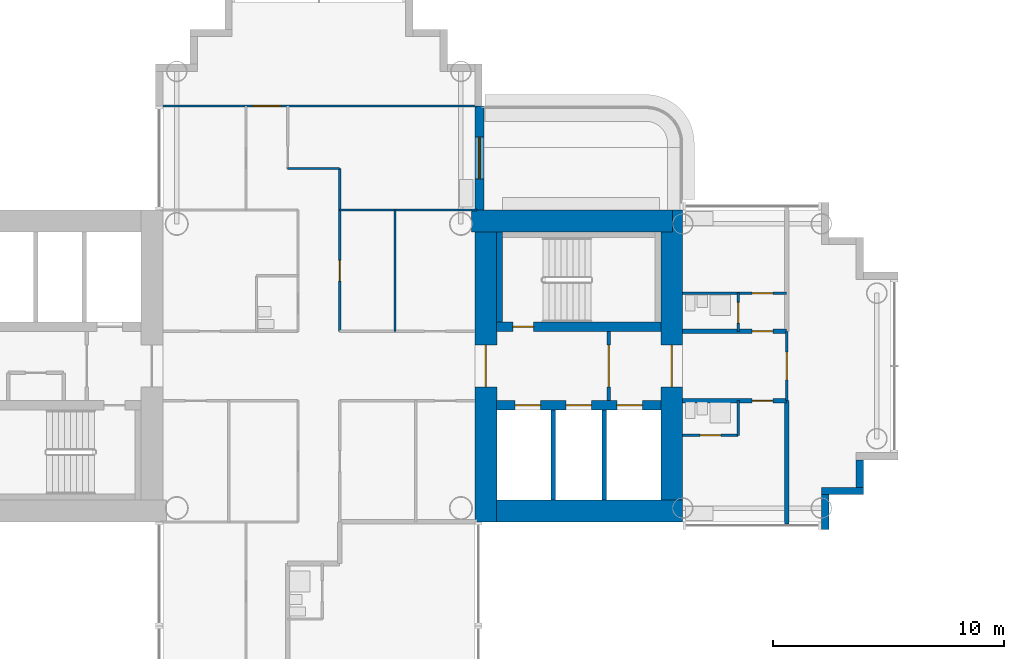
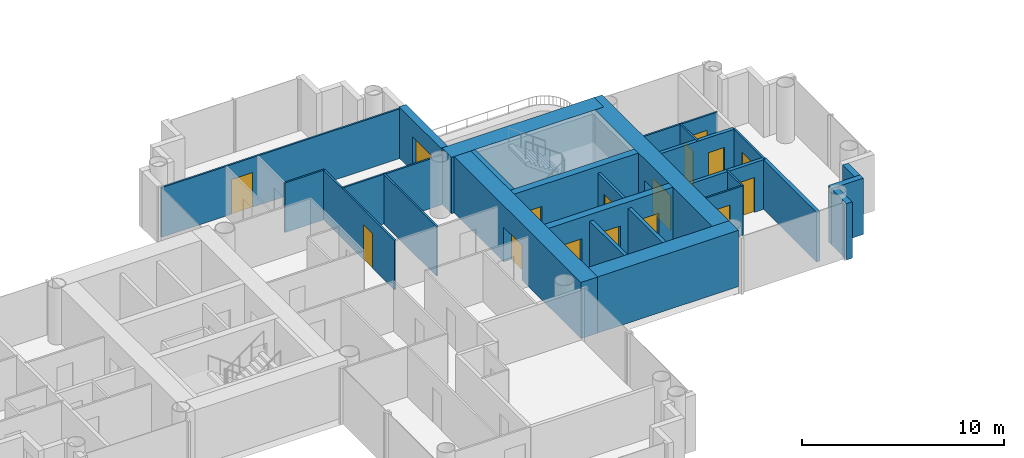
# One storey, part 11 of 22: 27 walls, 16 doors, 16 openings.
"""IFC4 building model written with IfcOpenShell, lengths in metres."""

from ifc_helpers import new_model, si_unit, direction, frame, frame_2d, origin, place, context, subcontext, project, spatial, rectangle, extrude, material, layer, layer_set, type_object, element, fill, save


model = new_model("IFC4")

# Units and contexts
model_context = context("Model", 3, precision=1e-05, world=origin(), true_north=direction((0.0, 1.0)))
body_context = subcontext(model_context, "Body", "Model", "MODEL_VIEW")
ifc_project = project(units=[si_unit("LENGTHUNIT", "METRE"), si_unit("AREAUNIT", "SQUARE_METRE"), si_unit("VOLUMEUNIT", "CUBIC_METRE"), si_unit("PLANEANGLEUNIT", "RADIAN"), si_unit("MASSUNIT", "GRAM", prefix="KILO")], contexts=[model_context])

# Site, building, storey
site_placement = place(None, origin())
site = spatial("IfcSite", under=ifc_project, at=site_placement, CompositionType="ELEMENT")
building_placement = place(site_placement, origin())
building = spatial("IfcBuilding", under=site, at=building_placement, Name="Ipe Terrace Towers", CompositionType="ELEMENT")
storey_placement = place(building_placement, frame((0.0, 0.0, 110.60009765625)))
storey = spatial("IfcBuildingStorey", under=building, at=storey_placement, Name="L30", CompositionType="ELEMENT", Elevation=110.60009765625)

# Wall, opening, door
ifc_material_1 = material(Name="Concrete C40/50 with buff precast cladding", Category="concrete")
ifc_layer_1 = layer(ifc_material_1, 0.39990234375)
ifc_layer_set_1 = layer_set([ifc_layer_1], Name="BALCONY BAY WALL 400")
wall_type_1 = type_object("IfcWallType", Name="BALCONY BAY WALL 400", PredefinedType="STANDARD", material=ifc_layer_set_1)
wall_1_placement = place(storey_placement, frame((-29.050048828125, 6.75, -0.02001953125), z_axis=(0.0, 0.0, 1.0), x_axis=(0.0, 1.0, 0.0)))
wall_1 = element("IfcWall", 1, at=wall_1_placement, inside=storey, type_object=wall_type_1, Name="T1-W-L30-32a wall", PredefinedType="STANDARD", context=body_context, shape_type="SweptSolid", body=[
    extrude(rectangle(XDim=4.5, YDim=0.39990234375, at=frame_2d((2.25, 0.0))), origin(), (0.0, 0.0, 1.0), 3.119873046875),
])
opening_1_placement = place(wall_1_placement, frame((1.35009765625, 0.0, 0.02001953125)))
opening_1 = element("IfcOpeningElement", 2, at=opening_1_placement, cuts=wall_1, Name="Opening T1-D-L30-32", PredefinedType="OPENING", context=body_context, shape_type="SweptSolid", body=[
    extrude(rectangle(XDim=1.800048828125, YDim=2.10009765625, at=frame_2d((0.89990234375, 1.050048828125))), frame((0.0, 0.2099609375, 0.0), z_axis=(0.0, -1.0, 0.0), x_axis=(1.0, 0.0, 0.0)), (0.0, 0.0, 1.0), 0.419921875),
])
ifc_material_2 = material(Name="Aluminium alloy 6063-T6 framed glazed door", Category="aluminium")
door_type_1 = type_object("IfcDoorType", Name="BALCONY DOOR 1800 x 2100 LEFT", OperationType="SINGLE_SWING_LEFT", PredefinedType="DOOR", material=ifc_material_2)
door_1_placement = place(opening_1_placement, origin())
door_1 = element("IfcDoor", 3, at=door_1_placement, inside=storey, type_object=door_type_1, Name="DB1 door", OperationType="SINGLE_SWING_LEFT", OverallHeight=2.10009765625, OverallWidth=1.800048828125, PredefinedType="DOOR", context=body_context, shape_type="SweptSolid", body=[
    extrude(rectangle(XDim=1.800048828125, YDim=2.10009765625, at=frame_2d((0.89990234375, 1.050048828125))), frame((0.0, 0.02490234375, 0.0), z_axis=(0.0, -1.0, 0.0), x_axis=(1.0, 0.0, 0.0)), (0.0, 0.0, 1.0), 0.050048828125),
])
fill(opening_1, door_1)

# Walls
ifc_material_3 = material(Name="Concrete C40/50 with buff precast cladding", Category="concrete")
ifc_layer_2 = layer(ifc_material_3, 0.320068359375)
ifc_layer_set_2 = layer_set([ifc_layer_2], Name="BUFF CLADDING WALL 320")
wall_type_2 = type_object("IfcWallType", Name="BUFF CLADDING WALL 320", PredefinedType="STANDARD", material=ifc_layer_set_2)
wall_2_placement = place(storey_placement, frame((-14.090087890625, -7.070068359375, -0.300048828125), z_axis=(0.0, 0.0, 1.0), x_axis=(0.0, 1.0, 0.0)))
element("IfcWall", 4, at=wall_2_placement, inside=storey, type_object=wall_type_2, Name="T1-W-L30-21a wall", PredefinedType="STANDARD", context=body_context, shape_type="SweptSolid", body=[
    extrude(rectangle(XDim=1.5, YDim=0.320068359375, at=frame_2d((0.75, 0.0))), origin(), (0.0, 0.0, 1.0), 3.39990234375),
])
wall_3_placement = place(storey_placement, frame((-14.25, -5.409912109375, -0.300048828125), z_axis=(0.0, 0.0, 1.0), x_axis=(1.0, 0.0, 0.0)))
element("IfcWall", 5, at=wall_3_placement, inside=storey, type_object=wall_type_2, Name="T1-W-L30-22a wall", PredefinedType="STANDARD", context=body_context, shape_type="SweptSolid", body=[
    extrude(rectangle(XDim=1.820068359375, YDim=0.320068359375, at=frame_2d((0.91015625, 0.0))), origin(), (0.0, 0.0, 1.0), 3.39990234375),
])
wall_4_placement = place(storey_placement, frame((-12.590087890625, -5.25, -0.300048828125), z_axis=(0.0, 0.0, 1.0), x_axis=(0.0, 1.0, 0.0)))
element("IfcWall", 6, at=wall_4_placement, inside=storey, type_object=wall_type_2, Name="T1-W-L30-23a wall", PredefinedType="STANDARD", context=body_context, shape_type="SweptSolid", body=[
    extrude(rectangle(XDim=1.179931640625, YDim=0.320068359375, at=frame_2d((0.58984375, 0.0))), origin(), (0.0, 0.0, 1.0), 3.39990234375),
])

# Wall, opening, door
ifc_material_4 = material(Name="Gypsum board partition", Category="plasterboard")
ifc_layer_3 = layer(ifc_material_4, 0.10009765625)
ifc_layer_set_3 = layer_set([ifc_layer_3], Name="Gypsum board partition 100 mm")
wall_type_3 = type_object("IfcWallType", Name="Gypsum board partition 100 mm", PredefinedType="PARTITIONING", material=ifc_layer_set_3)
wall_5_placement = place(storey_placement, frame((-35.10009765625, 1.5, 0.0), z_axis=(0.0, 0.0, 1.0), x_axis=(0.0, 1.0, 0.0)))
wall_5 = element("IfcWall", 7, at=wall_5_placement, inside=storey, type_object=wall_type_3, Name="Gypsum board partition T1 L30 W14", PredefinedType="PARTITIONING", context=body_context, shape_type="SweptSolid", body=[
    extrude(rectangle(XDim=7.050048828125, YDim=0.10009765625, at=frame_2d((3.52490234375, 0.0))), origin(), (0.0, 0.0, 1.0), 3.0),
])
opening_2_placement = place(wall_5_placement, frame((2.175048828125, 0.0, 0.0)))
opening_2 = element("IfcOpeningElement", 8, at=opening_2_placement, cuts=wall_5, Name="Opening T1-Z2F-02", PredefinedType="OPENING", context=body_context, shape_type="SweptSolid", body=[
    extrude(rectangle(XDim=0.89990234375, YDim=2.10009765625, at=frame_2d((0.449951171875, 1.050048828125))), frame((0.0, 0.06005859375, 0.0), z_axis=(0.0, -1.0, 0.0), x_axis=(1.0, 0.0, 0.0)), (0.0, 0.0, 1.0), 0.1201171875),
])
ifc_material_5 = material(Name="Timber door leaf", Category="wood")
door_type_2 = type_object("IfcDoorType", Name="Lounge door 900 x 2100", OperationType="NOTDEFINED", PredefinedType="DOOR", material=ifc_material_5)
door_2_placement = place(opening_2_placement, origin())
door_2 = element("IfcDoor", 9, at=door_2_placement, inside=storey, type_object=door_type_2, Name="Lounge door T1-Z2F-02", OperationType="SINGLE_SWING_LEFT", OverallHeight=2.10009765625, OverallWidth=0.89990234375, PredefinedType="DOOR", context=body_context, shape_type="SweptSolid", body=[
    extrude(rectangle(XDim=0.89990234375, YDim=2.10009765625, at=frame_2d((0.449951171875, 1.050048828125))), frame((0.0, 0.02490234375, 0.0), z_axis=(0.0, -1.0, 0.0), x_axis=(1.0, 0.0, 0.0)), (0.0, 0.0, 1.0), 0.050048828125),
])
fill(opening_2, door_2)

# Walls
wall_6_placement = place(storey_placement, frame((-32.699951171875, 1.5, 0.0), z_axis=(0.0, 0.0, 1.0), x_axis=(0.0, 1.0, 0.0)))
element("IfcWall", 10, at=wall_6_placement, inside=storey, type_object=wall_type_3, Name="Gypsum board partition T1 L30 W16", PredefinedType="PARTITIONING", context=body_context, shape_type="SweptSolid", body=[
    extrude(rectangle(XDim=5.25, YDim=0.10009765625, at=frame_2d((2.625, 0.0))), origin(), (0.0, 0.0, 1.0), 3.0),
])
wall_7_placement = place(storey_placement, frame((-17.85009765625, -3.0, 0.0), z_axis=(0.0, 0.0, 1.0), x_axis=(0.0, 1.0, 0.0)))
element("IfcWall", 11, at=wall_7_placement, inside=storey, type_object=wall_type_3, Name="Gypsum board partition T1 L30 W18", PredefinedType="PARTITIONING", context=body_context, shape_type="SweptSolid", body=[
    extrude(rectangle(XDim=1.5, YDim=0.10009765625, at=frame_2d((0.75, 0.0))), origin(), (0.0, 0.0, 1.0), 3.0),
])

# Wall, opening, door
wall_8_placement = place(storey_placement, frame((-17.85009765625, 1.5, 0.0), z_axis=(0.0, 0.0, 1.0), x_axis=(0.0, 1.0, 0.0)))
wall_8 = element("IfcWall", 12, at=wall_8_placement, inside=storey, type_object=wall_type_3, Name="Gypsum board partition T1 L30 W19", PredefinedType="PARTITIONING", context=body_context, shape_type="SweptSolid", body=[
    extrude(rectangle(XDim=1.64990234375, YDim=0.10009765625, at=frame_2d((0.824951171875, 0.0))), origin(), (0.0, 0.0, 1.0), 3.0),
])
opening_3_placement = place(wall_8_placement, frame((0.35009765625, 0.0, 0.0)))
opening_3 = element("IfcOpeningElement", 13, at=opening_3_placement, cuts=wall_8, Name="Opening T1-Z2F-18", PredefinedType="OPENING", context=body_context, shape_type="SweptSolid", body=[
    extrude(rectangle(XDim=0.89990234375, YDim=2.10009765625, at=frame_2d((0.449951171875, 1.050048828125))), frame((0.0, 0.06005859375, 0.0), z_axis=(0.0, -1.0, 0.0), x_axis=(1.0, 0.0, 0.0)), (0.0, 0.0, 1.0), 0.1201171875),
])
ifc_material_6 = material(Name="Timber door leaf", Category="wood")
door_type_3 = type_object("IfcDoorType", Name="Bathroom door 900 x 2100", OperationType="NOTDEFINED", PredefinedType="DOOR", material=ifc_material_6)
door_3_placement = place(opening_3_placement, origin())
door_3 = element("IfcDoor", 14, at=door_3_placement, inside=storey, type_object=door_type_3, Name="Bathroom door T1-Z2F-18", OperationType="SINGLE_SWING_RIGHT", OverallHeight=2.10009765625, OverallWidth=0.89990234375, PredefinedType="DOOR", context=body_context, shape_type="SweptSolid", body=[
    extrude(rectangle(XDim=0.89990234375, YDim=2.10009765625, at=frame_2d((0.449951171875, 1.050048828125))), frame((0.0, 0.02490234375, 0.0), z_axis=(0.0, -1.0, 0.0), x_axis=(1.0, 0.0, 0.0)), (0.0, 0.0, 1.0), 0.050048828125),
])
fill(opening_3, door_3)

wall_9_placement = place(storey_placement, frame((-15.75, -1.5, 0.0), z_axis=(0.0, 0.0, 1.0), x_axis=(0.0, 1.0, 0.0)))
wall_9 = element("IfcWall", 15, at=wall_9_placement, inside=storey, type_object=wall_type_3, Name="Gypsum board partition T1 L30 W20", PredefinedType="PARTITIONING", context=body_context, shape_type="SweptSolid", body=[
    extrude(rectangle(XDim=3.0, YDim=0.10009765625, at=frame_2d((1.5, 0.0))), origin(), (0.0, 0.0, 1.0), 3.0),
])
opening_4_placement = place(wall_9_placement, frame((0.89990234375, 0.0, 0.0)))
opening_4 = element("IfcOpeningElement", 16, at=opening_4_placement, cuts=wall_9, Name="Opening T1-Z2F-21", PredefinedType="OPENING", context=body_context, shape_type="SweptSolid", body=[
    extrude(rectangle(XDim=1.199951171875, YDim=2.10009765625, at=frame_2d((0.60009765625, 1.050048828125))), frame((0.0, 0.06005859375, 0.0), z_axis=(0.0, -1.0, 0.0), x_axis=(1.0, 0.0, 0.0)), (0.0, 0.0, 1.0), 0.1201171875),
])
ifc_material_7 = material(Name="Timber door leaf", Category="wood")
door_type_4 = type_object("IfcDoorType", Name="Lounge door 1200 x 2100", OperationType="NOTDEFINED", PredefinedType="DOOR", material=ifc_material_7)
door_4_placement = place(opening_4_placement, origin())
door_4 = element("IfcDoor", 17, at=door_4_placement, inside=storey, type_object=door_type_4, Name="Lounge door T1-Z2F-21", OperationType="SINGLE_SWING_RIGHT", OverallHeight=2.10009765625, OverallWidth=1.199951171875, PredefinedType="DOOR", context=body_context, shape_type="SweptSolid", body=[
    extrude(rectangle(XDim=1.199951171875, YDim=2.10009765625, at=frame_2d((0.60009765625, 1.050048828125))), frame((0.0, 0.02490234375, 0.0), z_axis=(0.0, -1.0, 0.0), x_axis=(1.0, 0.0, 0.0)), (0.0, 0.0, 1.0), 0.050048828125),
])
fill(opening_4, door_4)

wall_10_placement = place(storey_placement, frame((-20.25, -3.0, 0.0), z_axis=(0.0, 0.0, 1.0), x_axis=(1.0, 0.0, 0.0)))
wall_10 = element("IfcWall", 18, at=wall_10_placement, inside=storey, type_object=wall_type_3, Name="Gypsum board partition T1 L30 W30", PredefinedType="PARTITIONING", context=body_context, shape_type="SweptSolid", body=[
    extrude(rectangle(XDim=2.39990234375, YDim=0.10009765625, at=frame_2d((1.199951171875, 0.0))), origin(), (0.0, 0.0, 1.0), 3.0),
])
opening_5_placement = place(wall_10_placement, frame((0.75, 0.0, 0.0)))
opening_5 = element("IfcOpeningElement", 19, at=opening_5_placement, cuts=wall_10, Name="Opening T1-Z2F-20", PredefinedType="OPENING", context=body_context, shape_type="SweptSolid", body=[
    extrude(rectangle(XDim=0.89990234375, YDim=2.10009765625, at=frame_2d((0.449951171875, 1.050048828125))), frame((0.0, 0.06005859375, 0.0), z_axis=(0.0, -1.0, 0.0), x_axis=(1.0, 0.0, 0.0)), (0.0, 0.0, 1.0), 0.1201171875),
])
door_5_placement = place(opening_5_placement, origin())
door_5 = element("IfcDoor", 20, at=door_5_placement, inside=storey, type_object=door_type_3, Name="Bathroom door T1-Z2F-20", OperationType="SINGLE_SWING_LEFT", OverallHeight=2.10009765625, OverallWidth=0.89990234375, PredefinedType="DOOR", context=body_context, shape_type="SweptSolid", body=[
    extrude(rectangle(XDim=0.89990234375, YDim=2.10009765625, at=frame_2d((0.449951171875, 1.050048828125))), frame((0.0, 0.02490234375, 0.0), z_axis=(0.0, -1.0, 0.0), x_axis=(1.0, 0.0, 0.0)), (0.0, 0.0, 1.0), 0.050048828125),
])
fill(opening_5, door_5)

wall_11_placement = place(storey_placement, frame((-20.25, 3.14990234375, 0.0), z_axis=(0.0, 0.0, 1.0), x_axis=(1.0, 0.0, 0.0)))
wall_11 = element("IfcWall", 21, at=wall_11_placement, inside=storey, type_object=wall_type_3, Name="Gypsum board partition T1 L30 W42", PredefinedType="PARTITIONING", context=body_context, shape_type="SweptSolid", body=[
    extrude(rectangle(XDim=4.5, YDim=0.10009765625, at=frame_2d((2.25, 0.0))), origin(), (0.0, 0.0, 1.0), 3.0),
])
opening_6_placement = place(wall_11_placement, frame((3.0, 0.0, 0.0)))
opening_6 = element("IfcOpeningElement", 22, at=opening_6_placement, cuts=wall_11, Name="Opening T1-Z2F-17", PredefinedType="OPENING", context=body_context, shape_type="SweptSolid", body=[
    extrude(rectangle(XDim=0.89990234375, YDim=2.10009765625, at=frame_2d((0.449951171875, 1.050048828125))), frame((0.0, 0.06005859375, 0.0), z_axis=(0.0, -1.0, 0.0), x_axis=(1.0, 0.0, 0.0)), (0.0, 0.0, 1.0), 0.1201171875),
])
ifc_material_8 = material(Name="Timber door leaf", Category="wood")
door_type_5 = type_object("IfcDoorType", Name="Bedroom door 900 x 2100", OperationType="NOTDEFINED", PredefinedType="DOOR", material=ifc_material_8)
door_6_placement = place(opening_6_placement, origin())
door_6 = element("IfcDoor", 23, at=door_6_placement, inside=storey, type_object=door_type_5, Name="Bedroom door T1-Z2F-17", OperationType="SINGLE_SWING_LEFT", OverallHeight=2.10009765625, OverallWidth=0.89990234375, PredefinedType="DOOR", context=body_context, shape_type="SweptSolid", body=[
    extrude(rectangle(XDim=0.89990234375, YDim=2.10009765625, at=frame_2d((0.449951171875, 1.050048828125))), frame((0.0, 0.02490234375, 0.0), z_axis=(0.0, -1.0, 0.0), x_axis=(1.0, 0.0, 0.0)), (0.0, 0.0, 1.0), 0.050048828125),
])
fill(opening_6, door_6)

# Walls
wall_12_placement = place(storey_placement, frame((-35.10009765625, 6.75, 0.0), z_axis=(0.0, 0.0, 1.0), x_axis=(1.0, 0.0, 0.0)))
element("IfcWall", 24, at=wall_12_placement, inside=storey, type_object=wall_type_3, Name="Gypsum board partition T1 L30 W45", PredefinedType="PARTITIONING", context=body_context, shape_type="SweptSolid", body=[
    extrude(rectangle(XDim=5.9501953125, YDim=0.10009765625, at=frame_2d((2.97509765625, 0.0))), origin(), (0.0, 0.0, 1.0), 3.0),
])
wall_13_placement = place(storey_placement, frame((-37.35009765625, 8.550048828125, 0.0), z_axis=(0.0, 0.0, 1.0), x_axis=(1.0, 0.0, 0.0)))
element("IfcWall", 25, at=wall_13_placement, inside=storey, type_object=wall_type_3, Name="Gypsum board partition T1 L30 W46", PredefinedType="PARTITIONING", context=body_context, shape_type="SweptSolid", body=[
    extrude(rectangle(XDim=2.25, YDim=0.10009765625, at=frame_2d((1.125, 0.0))), origin(), (0.0, 0.0, 1.0), 3.0),
])

# Wall, opening, door
wall_14_placement = place(storey_placement, frame((-42.85009765625, 11.25, 0.0), z_axis=(0.0, 0.0, 1.0), x_axis=(1.0, 0.0, 0.0)))
wall_14 = element("IfcWall", 26, at=wall_14_placement, inside=storey, type_object=wall_type_3, Name="Gypsum board partition T1 L30 W47", PredefinedType="PARTITIONING", context=body_context, shape_type="SweptSolid", body=[
    extrude(rectangle(XDim=13.7001953125, YDim=0.10009765625, at=frame_2d((6.85009765625, 0.0))), origin(), (0.0, 0.0, 1.0), 3.0),
])
opening_7_placement = place(wall_14_placement, frame((4.0, 0.0, 0.0)))
opening_7 = element("IfcOpeningElement", 27, at=opening_7_placement, cuts=wall_14, Name="Opening T1-Z2F-11", PredefinedType="OPENING", context=body_context, shape_type="SweptSolid", body=[
    extrude(rectangle(XDim=1.199951171875, YDim=2.10009765625, at=frame_2d((0.60009765625, 1.050048828125))), frame((0.0, 0.06005859375, 0.0), z_axis=(0.0, -1.0, 0.0), x_axis=(1.0, 0.0, 0.0)), (0.0, 0.0, 1.0), 0.1201171875),
])
door_7_placement = place(opening_7_placement, origin())
door_7 = element("IfcDoor", 28, at=door_7_placement, inside=storey, type_object=door_type_4, Name="Lounge door T1-Z2F-11", OperationType="SINGLE_SWING_RIGHT", OverallHeight=2.10009765625, OverallWidth=1.199951171875, PredefinedType="DOOR", context=body_context, shape_type="SweptSolid", body=[
    extrude(rectangle(XDim=1.199951171875, YDim=2.10009765625, at=frame_2d((0.60009765625, 1.050048828125))), frame((0.0, 0.02490234375, 0.0), z_axis=(0.0, -1.0, 0.0), x_axis=(1.0, 0.0, 0.0)), (0.0, 0.0, 1.0), 0.050048828125),
])
fill(opening_7, door_7)

ifc_material_9 = material(Name="Gypsum board partition", Category="plasterboard")
ifc_layer_4 = layer(ifc_material_9, 0.14990234375)
ifc_layer_set_4 = layer_set([ifc_layer_4], Name="Gypsum board partition 150 mm")
wall_type_4 = type_object("IfcWallType", Name="Gypsum board partition 150 mm", PredefinedType="PARTITIONING", material=ifc_layer_set_4)
wall_15_placement = place(storey_placement, frame((-23.449951171875, -1.5, 0.0), z_axis=(0.0, 0.0, 1.0), x_axis=(0.0, 1.0, 0.0)))
wall_15 = element("IfcWall", 29, at=wall_15_placement, inside=storey, type_object=wall_type_4, Name="Gypsum board partition T1 L30 t1c1-lobby-wall", PredefinedType="PARTITIONING", context=body_context, shape_type="SweptSolid", body=[
    extrude(rectangle(XDim=3.0, YDim=0.14990234375, at=frame_2d((1.5, 0.0))), origin(), (0.0, 0.0, 1.0), 3.0),
])
opening_8_placement = place(wall_15_placement, frame((0.60009765625, 0.0, 0.0)))
opening_8 = element("IfcOpeningElement", 30, at=opening_8_placement, cuts=wall_15, Name="Opening T1C1-VD", PredefinedType="OPENING", context=body_context, shape_type="SweptSolid", body=[
    extrude(rectangle(XDim=1.800048828125, YDim=2.10009765625, at=frame_2d((0.89990234375, 1.050048828125))), frame((0.0, 0.0849609375, 0.0), z_axis=(0.0, -1.0, 0.0), x_axis=(1.0, 0.0, 0.0)), (0.0, 0.0, 1.0), 0.169921875),
])
ifc_material_10 = material(Name="Fire-rated timber door leaf", Category="wood")
door_type_6 = type_object("IfcDoorType", Name="Lobby door 1800 x 2100 FD60", OperationType="NOTDEFINED", PredefinedType="DOOR", material=ifc_material_10)
door_8_placement = place(opening_8_placement, origin())
door_8 = element("IfcDoor", 31, at=door_8_placement, inside=storey, type_object=door_type_6, Name="Lobby door T1C1-VD", OperationType="SINGLE_SWING_LEFT", OverallHeight=2.10009765625, OverallWidth=1.800048828125, PredefinedType="DOOR", context=body_context, shape_type="SweptSolid", body=[
    extrude(rectangle(XDim=1.800048828125, YDim=2.10009765625, at=frame_2d((0.89990234375, 1.050048828125))), frame((0.0, 0.02490234375, 0.0), z_axis=(0.0, -1.0, 0.0), x_axis=(1.0, 0.0, 0.0)), (0.0, 0.0, 1.0), 0.050048828125),
])
fill(opening_8, door_8)

# Walls
ifc_material_11 = material(Name="Gypsum board party wall", Category="plasterboard")
ifc_layer_5 = layer(ifc_material_11, 0.199951171875)
ifc_layer_set_5 = layer_set([ifc_layer_5], Name="Gypsum board party wall 200 mm")
wall_type_5 = type_object("IfcWallType", Name="Gypsum board party wall 200 mm", PredefinedType="SOLIDWALL", material=ifc_layer_set_5)
for number, where, z_axis, x_axis, name in (
    (32, (-25.85009765625, -5.800048828125, 0.0), (0.0, 0.0, 1.0), (0.0, 1.0, 0.0), "Gypsum board party wall T1 L30 t1c1-shaft-div1"),
    (33, (-23.64990234375, -5.800048828125, 0.0), (0.0, 0.0, 1.0), (0.0, 1.0, 0.0), "Gypsum board party wall T1 L30 t1c1-shaft-div2"),
):
    element("IfcWall", number, at=place(storey_placement, frame(where, z_axis=z_axis, x_axis=x_axis)), inside=storey, type_object=wall_type_5, Name=name, PredefinedType="SOLIDWALL", context=body_context, shape_type="SweptSolid", body=[
        extrude(rectangle(XDim=3.900146484375, YDim=0.199951171875, at=frame_2d((1.9501953125, 0.0))), origin(), (0.0, 0.0, 1.0), 3.0),
    ])
wall_16_placement = place(storey_placement, frame((-15.75, -6.85009765625, 0.0), z_axis=(0.0, 0.0, 1.0), x_axis=(0.0, 1.0, 0.0)))
element("IfcWall", 34, at=wall_16_placement, inside=storey, type_object=wall_type_5, Name="Gypsum board party wall T1 L30 W21", PredefinedType="SOLIDWALL", context=body_context, shape_type="SweptSolid", body=[
    extrude(rectangle(XDim=5.35009765625, YDim=0.199951171875, at=frame_2d((2.675048828125, 0.0))), origin(), (0.0, 0.0, 1.0), 3.0),
])

# Wall, opening, door
wall_17_placement = place(storey_placement, frame((-20.25, -1.5, 0.0), z_axis=(0.0, 0.0, 1.0), x_axis=(1.0, 0.0, 0.0)))
wall_17 = element("IfcWall", 35, at=wall_17_placement, inside=storey, type_object=wall_type_5, Name="Gypsum board party wall T1 L30 W35", PredefinedType="SOLIDWALL", context=body_context, shape_type="SweptSolid", body=[
    extrude(rectangle(XDim=4.5, YDim=0.199951171875, at=frame_2d((2.25, 0.0))), origin(), (0.0, 0.0, 1.0), 3.0),
])
opening_9_placement = place(wall_17_placement, frame((3.0, 0.0, 0.0)))
opening_9 = element("IfcOpeningElement", 36, at=opening_9_placement, cuts=wall_17, Name="Opening T1-Z2F-19", PredefinedType="OPENING", context=body_context, shape_type="SweptSolid", body=[
    extrude(rectangle(XDim=0.89990234375, YDim=2.10009765625, at=frame_2d((0.449951171875, 1.050048828125))), frame((0.0, 0.10986328125, 0.0), z_axis=(0.0, -1.0, 0.0), x_axis=(1.0, 0.0, 0.0)), (0.0, 0.0, 1.0), 0.219970703125),
])
ifc_material_12 = material(Name="Fire-rated timber door leaf", Category="wood")
door_type_7 = type_object("IfcDoorType", Name="Flat entrance door 900 x 2100 FD30S", OperationType="NOTDEFINED", PredefinedType="DOOR", material=ifc_material_12)
door_9_placement = place(opening_9_placement, origin())
door_9 = element("IfcDoor", 37, at=door_9_placement, inside=storey, type_object=door_type_7, Name="Flat entrance door T1-Z2F-19", OperationType="SINGLE_SWING_RIGHT", OverallHeight=2.10009765625, OverallWidth=0.89990234375, PredefinedType="DOOR", context=body_context, shape_type="SweptSolid", body=[
    extrude(rectangle(XDim=0.89990234375, YDim=2.10009765625, at=frame_2d((0.449951171875, 1.050048828125))), frame((0.0, 0.02490234375, 0.0), z_axis=(0.0, -1.0, 0.0), x_axis=(1.0, 0.0, 0.0)), (0.0, 0.0, 1.0), 0.050048828125),
])
fill(opening_9, door_9)

wall_18_placement = place(storey_placement, frame((-20.25, 1.5, 0.0), z_axis=(0.0, 0.0, 1.0), x_axis=(1.0, 0.0, 0.0)))
wall_18 = element("IfcWall", 38, at=wall_18_placement, inside=storey, type_object=wall_type_5, Name="Gypsum board party wall T1 L30 W40", PredefinedType="SOLIDWALL", context=body_context, shape_type="SweptSolid", body=[
    extrude(rectangle(XDim=4.5, YDim=0.199951171875, at=frame_2d((2.25, 0.0))), origin(), (0.0, 0.0, 1.0), 3.0),
])
opening_10_placement = place(wall_18_placement, frame((3.0, 0.0, 0.0)))
opening_10 = element("IfcOpeningElement", 39, at=opening_10_placement, cuts=wall_18, Name="Opening T1-Z2F-16", PredefinedType="OPENING", context=body_context, shape_type="SweptSolid", body=[
    extrude(rectangle(XDim=0.89990234375, YDim=2.10009765625, at=frame_2d((0.449951171875, 1.050048828125))), frame((0.0, 0.10986328125, 0.0), z_axis=(0.0, -1.0, 0.0), x_axis=(1.0, 0.0, 0.0)), (0.0, 0.0, 1.0), 0.219970703125),
])
door_10_placement = place(opening_10_placement, origin())
door_10 = element("IfcDoor", 40, at=door_10_placement, inside=storey, type_object=door_type_7, Name="Flat entrance door T1-Z2F-16", OperationType="SINGLE_SWING_LEFT", OverallHeight=2.10009765625, OverallWidth=0.89990234375, PredefinedType="DOOR", context=body_context, shape_type="SweptSolid", body=[
    extrude(rectangle(XDim=0.89990234375, YDim=2.10009765625, at=frame_2d((0.449951171875, 1.050048828125))), frame((0.0, 0.02490234375, 0.0), z_axis=(0.0, -1.0, 0.0), x_axis=(1.0, 0.0, 0.0)), (0.0, 0.0, 1.0), 0.050048828125),
])
fill(opening_10, door_10)

# Wall
ifc_material_13 = material(Name="Concrete C50/60", Category="concrete")
ifc_layer_6 = layer(ifc_material_13, 0.25)
ifc_layer_set_6 = layer_set([ifc_layer_6], Name="RW250 CORE INFILL WALL 250 C50-60")
wall_type_6 = type_object("IfcWallType", Name="RW250 CORE INFILL WALL 250 C50-60", PredefinedType="SHEAR", material=ifc_layer_set_6)
wall_19_placement = place(storey_placement, frame((-28.175048828125, 1.89990234375, 0.0), z_axis=(0.0, 0.0, 1.0), x_axis=(0.0, 1.0, 0.0)))
element("IfcWall", 41, at=wall_19_placement, inside=storey, type_object=wall_type_6, Name="Core infill wall T1-C1-near", PredefinedType="SHEAR", context=body_context, shape_type="SweptSolid", body=[
    extrude(rectangle(XDim=3.900146484375, YDim=0.25, at=frame_2d((1.9501953125, 0.0))), origin(), (0.0, 0.0, 1.0), 3.39990234375),
])

# Wall, openings, doors
ifc_material_14 = material(Name="Concrete C50/60", Category="concrete")
ifc_layer_7 = layer(ifc_material_14, 0.39990234375)
ifc_layer_set_7 = layer_set([ifc_layer_7], Name="RW400 CORE SPINE WALL 400 C50-60")
wall_type_7 = type_object("IfcWallType", Name="RW400 CORE SPINE WALL 400 C50-60", PredefinedType="SHEAR", material=ifc_layer_set_7)
wall_20_placement = place(storey_placement, frame((-28.300048828125, -1.699951171875, 0.0), z_axis=(0.0, 0.0, 1.0), x_axis=(1.0, 0.0, 0.0)))
wall_20 = element("IfcWall", 42, at=wall_20_placement, inside=storey, type_object=wall_type_7, Name="Core spine wall T1-C1-Z2-SW1", PredefinedType="SHEAR", context=body_context, shape_type="SweptSolid", body=[
    extrude(rectangle(XDim=7.10009765625, YDim=0.39990234375, at=frame_2d((3.550048828125, 0.0))), origin(), (0.0, 0.0, 1.0), 3.39990234375),
])
opening_11_placement = place(wall_20_placement, frame((0.800048828125, 0.0, 0.0)))
opening_11 = element("IfcOpeningElement", 43, at=opening_11_placement, cuts=wall_20, Name="Opening T1C1-LD1", PredefinedType="OPENING", context=body_context, shape_type="SweptSolid", body=[
    extrude(rectangle(XDim=1.10009765625, YDim=2.10009765625, at=frame_2d((0.550048828125, 1.050048828125))), frame((0.0, 0.2099609375, 0.0), z_axis=(0.0, -1.0, 0.0), x_axis=(1.0, 0.0, 0.0)), (0.0, 0.0, 1.0), 0.419921875),
])
opening_12_placement = place(wall_20_placement, frame((3.0, 0.0, 0.0)))
opening_12 = element("IfcOpeningElement", 44, at=opening_12_placement, cuts=wall_20, Name="Opening T1C1-LD2", PredefinedType="OPENING", context=body_context, shape_type="SweptSolid", body=[
    extrude(rectangle(XDim=1.10009765625, YDim=2.10009765625, at=frame_2d((0.550048828125, 1.050048828125))), frame((0.0, 0.2099609375, 0.0), z_axis=(0.0, -1.0, 0.0), x_axis=(1.0, 0.0, 0.0)), (0.0, 0.0, 1.0), 0.419921875),
])
opening_13_placement = place(wall_20_placement, frame((5.199951171875, 0.0, 0.0)))
opening_13 = element("IfcOpeningElement", 45, at=opening_13_placement, cuts=wall_20, Name="Opening T1C1-LD3", PredefinedType="OPENING", context=body_context, shape_type="SweptSolid", body=[
    extrude(rectangle(XDim=1.10009765625, YDim=2.10009765625, at=frame_2d((0.550048828125, 1.050048828125))), frame((0.0, 0.2099609375, 0.0), z_axis=(0.0, -1.0, 0.0), x_axis=(1.0, 0.0, 0.0)), (0.0, 0.0, 1.0), 0.419921875),
])
ifc_material_15 = material(Name="Fire-rated timber door leaf", Category="wood")
door_type_8 = type_object("IfcDoorType", Name="Sliding door 1100 x 2100 FD60", OperationType="SLIDING_TO_LEFT", PredefinedType="DOOR", material=ifc_material_15)
door_11_placement = place(opening_11_placement, origin())
door_11 = element("IfcDoor", 46, at=door_11_placement, inside=storey, type_object=door_type_8, Name="Sliding door T1C1-LD1", OperationType="SLIDING_TO_LEFT", OverallHeight=2.10009765625, OverallWidth=1.10009765625, PredefinedType="DOOR", context=body_context, shape_type="SweptSolid", body=[
    extrude(rectangle(XDim=1.10009765625, YDim=2.10009765625, at=frame_2d((0.550048828125, 1.050048828125))), frame((0.0, 0.02490234375, 0.0), z_axis=(0.0, -1.0, 0.0), x_axis=(1.0, 0.0, 0.0)), (0.0, 0.0, 1.0), 0.050048828125),
])
fill(opening_11, door_11)
door_12_placement = place(opening_12_placement, origin())
door_12 = element("IfcDoor", 47, at=door_12_placement, inside=storey, type_object=door_type_8, Name="Sliding door T1C1-LD2", OperationType="SLIDING_TO_LEFT", OverallHeight=2.10009765625, OverallWidth=1.10009765625, PredefinedType="DOOR", context=body_context, shape_type="SweptSolid", body=[
    extrude(rectangle(XDim=1.10009765625, YDim=2.10009765625, at=frame_2d((0.550048828125, 1.050048828125))), frame((0.0, 0.02490234375, 0.0), z_axis=(0.0, -1.0, 0.0), x_axis=(1.0, 0.0, 0.0)), (0.0, 0.0, 1.0), 0.050048828125),
])
fill(opening_12, door_12)
door_13_placement = place(opening_13_placement, origin())
door_13 = element("IfcDoor", 48, at=door_13_placement, inside=storey, type_object=door_type_8, Name="Sliding door T1C1-LD3", OperationType="SLIDING_TO_LEFT", OverallHeight=2.10009765625, OverallWidth=1.10009765625, PredefinedType="DOOR", context=body_context, shape_type="SweptSolid", body=[
    extrude(rectangle(XDim=1.10009765625, YDim=2.10009765625, at=frame_2d((0.550048828125, 1.050048828125))), frame((0.0, 0.02490234375, 0.0), z_axis=(0.0, -1.0, 0.0), x_axis=(1.0, 0.0, 0.0)), (0.0, 0.0, 1.0), 0.050048828125),
])
fill(opening_13, door_13)

# Wall, opening, door
wall_21_placement = place(storey_placement, frame((-28.300048828125, 1.699951171875, 0.0), z_axis=(0.0, 0.0, 1.0), x_axis=(1.0, 0.0, 0.0)))
wall_21 = element("IfcWall", 49, at=wall_21_placement, inside=storey, type_object=wall_type_7, Name="Core spine wall T1-C1-Z2-SW2", PredefinedType="SHEAR", context=body_context, shape_type="SweptSolid", body=[
    extrude(rectangle(XDim=7.10009765625, YDim=0.39990234375, at=frame_2d((3.550048828125, 0.0))), origin(), (0.0, 0.0, 1.0), 3.39990234375),
])
opening_14_placement = place(wall_21_placement, frame((0.699951171875, 0.0, 0.0)))
opening_14 = element("IfcOpeningElement", 50, at=opening_14_placement, cuts=wall_21, Name="Opening T1C1-SD", PredefinedType="OPENING", context=body_context, shape_type="SweptSolid", body=[
    extrude(rectangle(XDim=0.89990234375, YDim=2.10009765625, at=frame_2d((0.449951171875, 1.050048828125))), frame((0.0, 0.2099609375, 0.0), z_axis=(0.0, -1.0, 0.0), x_axis=(1.0, 0.0, 0.0)), (0.0, 0.0, 1.0), 0.419921875),
])
ifc_material_16 = material(Name="Fire-rated timber door leaf", Category="wood")
door_type_9 = type_object("IfcDoorType", Name="Stair door 900 x 2100 FD60", OperationType="NOTDEFINED", PredefinedType="DOOR", material=ifc_material_16)
door_14_placement = place(opening_14_placement, origin())
door_14 = element("IfcDoor", 51, at=door_14_placement, inside=storey, type_object=door_type_9, Name="Stair door T1C1-SD", OperationType="SINGLE_SWING_LEFT", OverallHeight=2.10009765625, OverallWidth=0.89990234375, PredefinedType="DOOR", context=body_context, shape_type="SweptSolid", body=[
    extrude(rectangle(XDim=0.89990234375, YDim=2.10009765625, at=frame_2d((0.449951171875, 1.050048828125))), frame((0.0, 0.02490234375, 0.0), z_axis=(0.0, -1.0, 0.0), x_axis=(1.0, 0.0, 0.0)), (0.0, 0.0, 1.0), 0.050048828125),
])
fill(opening_14, door_14)

# Wall
ifc_material_17 = material(Name="Concrete C50/60", Category="concrete")
ifc_layer_8 = layer(ifc_material_17, 0.949951171875)
ifc_layer_set_8 = layer_set([ifc_layer_8], Name="RW950 CORE WALL 950 C50-60")
wall_type_8 = type_object("IfcWallType", Name="RW950 CORE WALL 950 C50-60", PredefinedType="SHEAR", material=ifc_layer_set_8)
wall_22_placement = place(storey_placement, frame((-28.300048828125, -6.27490234375, 0.0), z_axis=(0.0, 0.0, 1.0), x_axis=(1.0, 0.0, 0.0)))
element("IfcWall", 52, at=wall_22_placement, inside=storey, type_object=wall_type_8, Name="Core wall T1-C1-Z2-W01", PredefinedType="SHEAR", context=body_context, shape_type="SweptSolid", body=[
    extrude(rectangle(XDim=8.050048828125, YDim=0.949951171875, at=frame_2d((4.02490234375, 0.0))), origin(), (0.0, 0.0, 1.0), 3.39990234375),
])

# Wall, opening, door
wall_23_placement = place(storey_placement, frame((-20.72509765625, -5.800048828125, 0.0), z_axis=(0.0, 0.0, 1.0), x_axis=(0.0, 1.0, 0.0)))
wall_23 = element("IfcWall", 53, at=wall_23_placement, inside=storey, type_object=wall_type_8, Name="Core wall T1-C1-Z2-W02", PredefinedType="SHEAR", context=body_context, shape_type="SweptSolid", body=[
    extrude(rectangle(XDim=12.550048828125, YDim=0.949951171875, at=frame_2d((6.27490234375, 0.0))), origin(), (0.0, 0.0, 1.0), 3.39990234375),
])
opening_15_placement = place(wall_23_placement, frame((4.89990234375, 0.0, 0.0)))
opening_15 = element("IfcOpeningElement", 54, at=opening_15_placement, cuts=wall_23, Name="Opening T1C1-FD", PredefinedType="OPENING", context=body_context, shape_type="SweptSolid", body=[
    extrude(rectangle(XDim=1.800048828125, YDim=2.10009765625, at=frame_2d((0.89990234375, 1.050048828125))), frame((0.0, 0.48486328125, 0.0), z_axis=(0.0, -1.0, 0.0), x_axis=(1.0, 0.0, 0.0)), (0.0, 0.0, 1.0), 0.969970703125),
])
ifc_material_18 = material(Name="Fire-rated timber door leaf", Category="wood")
door_type_10 = type_object("IfcDoorType", Name="Fire door 1800 x 2100 FD30S", OperationType="NOTDEFINED", PredefinedType="DOOR", material=ifc_material_18)
door_15_placement = place(opening_15_placement, origin())
door_15 = element("IfcDoor", 55, at=door_15_placement, inside=storey, type_object=door_type_10, Name="Fire door T1C1-FD", OperationType="SINGLE_SWING_LEFT", OverallHeight=2.10009765625, OverallWidth=1.800048828125, PredefinedType="DOOR", context=body_context, shape_type="SweptSolid", body=[
    extrude(rectangle(XDim=1.800048828125, YDim=2.10009765625, at=frame_2d((0.89990234375, 1.050048828125))), frame((0.0, 0.02490234375, 0.0), z_axis=(0.0, -1.0, 0.0), x_axis=(1.0, 0.0, 0.0)), (0.0, 0.0, 1.0), 0.050048828125),
])
fill(opening_15, door_15)

# Wall
wall_24_placement = place(storey_placement, frame((-20.701904296875, 6.27490234375, 0.0), z_axis=(0.0, 0.0, 1.0), x_axis=(-1.0, 0.0, 0.0)))
element("IfcWall", 56, at=wall_24_placement, inside=storey, type_object=wall_type_8, Name="Core wall T1-C1-Z2-W03", PredefinedType="SHEAR", context=body_context, shape_type="SweptSolid", body=[
    extrude(rectangle(XDim=8.696044921875, YDim=0.949951171875, at=frame_2d((4.34814453125, 0.0))), origin(), (0.0, 0.0, 1.0), 3.39990234375),
])

# Wall, opening, door
wall_25_placement = place(storey_placement, frame((-28.77490234375, 5.800048828125, 0.0), z_axis=(0.0, 0.0, 1.0), x_axis=(0.0, -1.0, 0.0)))
wall_25 = element("IfcWall", 57, at=wall_25_placement, inside=storey, type_object=wall_type_8, Name="Core wall T1-C1-Z2-W04", PredefinedType="SHEAR", context=body_context, shape_type="SweptSolid", body=[
    extrude(rectangle(XDim=12.550048828125, YDim=0.949951171875, at=frame_2d((6.27490234375, 0.0))), origin(), (0.0, 0.0, 1.0), 3.39990234375),
])
opening_16_placement = place(wall_25_placement, frame((4.89990234375, 0.0, 0.0)))
opening_16 = element("IfcOpeningElement", 58, at=opening_16_placement, cuts=wall_25, Name="Opening T1C1-ND", PredefinedType="OPENING", context=body_context, shape_type="SweptSolid", body=[
    extrude(rectangle(XDim=1.800048828125, YDim=2.10009765625, at=frame_2d((0.89990234375, 1.050048828125))), frame((0.0, 0.48486328125, 0.0), z_axis=(0.0, -1.0, 0.0), x_axis=(1.0, 0.0, 0.0)), (0.0, 0.0, 1.0), 0.969970703125),
])
door_16_placement = place(opening_16_placement, origin())
door_16 = element("IfcDoor", 59, at=door_16_placement, inside=storey, type_object=door_type_10, Name="Fire door T1C1-ND", OperationType="SINGLE_SWING_LEFT", OverallHeight=2.10009765625, OverallWidth=1.800048828125, PredefinedType="DOOR", context=body_context, shape_type="SweptSolid", body=[
    extrude(rectangle(XDim=1.800048828125, YDim=2.10009765625, at=frame_2d((0.89990234375, 1.050048828125))), frame((0.0, 0.02490234375, 0.0), z_axis=(0.0, -1.0, 0.0), x_axis=(1.0, 0.0, 0.0)), (0.0, 0.0, 1.0), 0.050048828125),
])
fill(opening_16, door_16)

save(model, "model.ifc")
